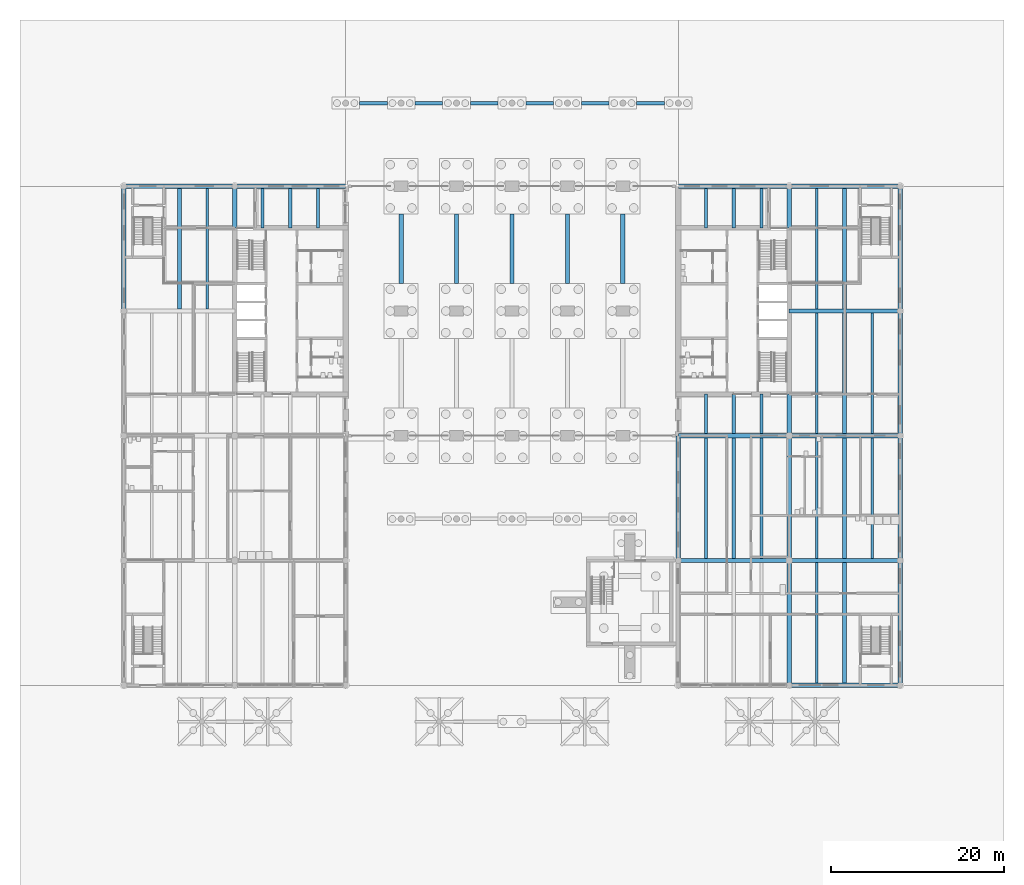
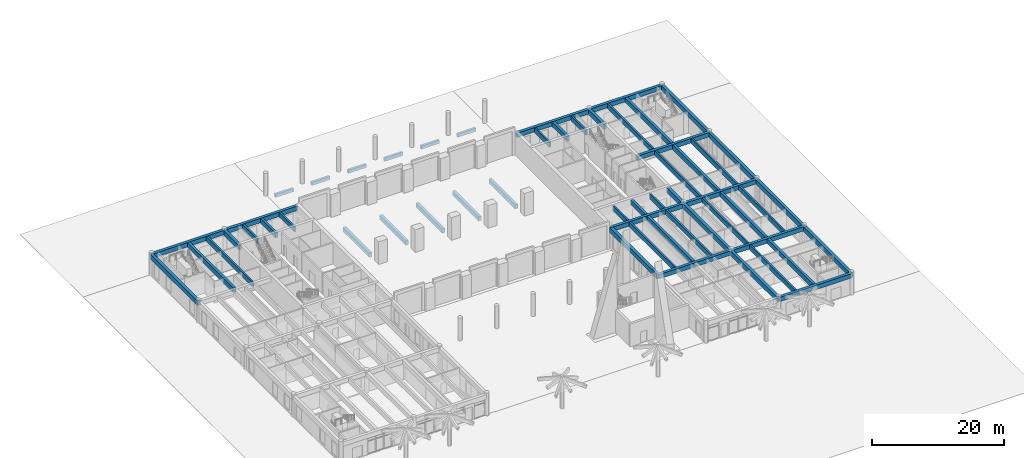
# One storey, part 8 of 28: 56 beams.
"""IFC4 building model written with IfcOpenShell, lengths in metres."""

import ifcopenshell
import ifcopenshell.guid

model = None  # the IFC model being written
_history = None  # IfcOwnerHistory: only IFC2X3 demands one
_inside = {}  # id of a spatial element -> (the spatial element, [elements in it])
_under = {}  # id of a project, library or spatial element -> (it, [spatial elements below it])
_declared = {}  # id of a project -> (the project, [libraries it declares])
_typed = {}  # id of a type object -> (the type object, [elements of that type])
_made_of = {}  # id of a material, layer set ... -> (it, [elements and type objects made of it])


def new_model(schema):
    """Start an empty IFC model of exactly this schema.

    Asked for "IFC4X3", IfcOpenShell would pick the latest addendum, in which some entities
    have other attributes; the version numbers below select the first issue.
    IFC2X3 requires an IfcOwnerHistory on every rooted entity: one is made here for all.
    """
    global model, _history
    if schema == "IFC4X3":
        model = ifcopenshell.file(schema_version=(4, 3, 0, 0))
    else:
        model = ifcopenshell.file(schema=schema)
    _inside.clear()
    _under.clear()
    _declared.clear()
    _typed.clear()
    _made_of.clear()
    _history = None
    if model.schema == "IFC2X3":
        org = make("IfcOrganization", Name="unknown")
        user = make(
            "IfcPersonAndOrganization",
            ThePerson=make("IfcPerson", FamilyName="unknown"),
            TheOrganization=org,
        )
        app = make(
            "IfcApplication",
            ApplicationDeveloper=org,
            Version="unknown",
            ApplicationFullName="unknown",
            ApplicationIdentifier="unknown",
        )
        _history = make(
            "IfcOwnerHistory",
            OwningUser=user,
            OwningApplication=app,
            ChangeAction="ADDED",
            CreationDate=0,
        )
    return model


def make(cls, **values):
    """One entity of the class cls with the attributes given. An attribute that is None is left unset."""
    return model.create_entity(
        cls, **{name: value for name, value in values.items() if value is not None}
    )


def rooted(cls, **values):
    """An entity with a GlobalId (a new one), such as an element, a storey or a relation."""
    return make(cls, GlobalId=ifcopenshell.guid.new(), OwnerHistory=_history, **values)


def si_unit(unit_type, name, prefix=None):
    """IfcSIUnit, for example si_unit("LENGTHUNIT", "METRE", prefix="MILLI")."""
    return make("IfcSIUnit", UnitType=unit_type, Prefix=prefix, Name=name)


def assignment(units):
    """IfcUnitAssignment: the units of a project."""
    return None if units is None else make("IfcUnitAssignment", Units=units)


def point(xyz):
    """IfcCartesianPoint."""
    return None if xyz is None else make("IfcCartesianPoint", Coordinates=xyz)


def direction(xyz):
    """IfcDirection."""
    return None if xyz is None else make("IfcDirection", DirectionRatios=xyz)


def frame(location, z_axis=None, x_axis=None):
    """IfcAxis2Placement3D, a coordinate frame: its origin and axes. An axis left out is left unset."""
    return make(
        "IfcAxis2Placement3D",
        Location=point(location),
        Axis=direction(z_axis),
        RefDirection=direction(x_axis),
    )


def frame_2d(location, x_axis=None):
    """IfcAxis2Placement2D, a coordinate frame in the plane: its origin and x axis."""
    return make(
        "IfcAxis2Placement2D", Location=point(location), RefDirection=direction(x_axis)
    )


def origin():
    """The frame at (0, 0, 0) with its axes left unset."""
    return frame((0.0, 0.0, 0.0))


def origin_2d():
    """The frame at (0, 0) in the plane with its x axis left unset."""
    return frame_2d((0.0, 0.0))


def place(relative_to, where):
    """IfcLocalPlacement: puts the frame where relative to a parent placement (None: the world)."""
    return make(
        "IfcLocalPlacement", PlacementRelTo=relative_to, RelativePlacement=where
    )


def context(
    kind, dimensions, precision=None, world=None, true_north=None, identifier=None
):
    """IfcGeometricRepresentationContext, for example the 3D "Model" context."""
    return make(
        "IfcGeometricRepresentationContext",
        ContextIdentifier=identifier,
        ContextType=kind,
        CoordinateSpaceDimension=dimensions,
        Precision=precision,
        WorldCoordinateSystem=world,
        TrueNorth=true_north,
    )


def subcontext(parent, identifier, kind, view, scale=None):
    """IfcGeometricRepresentationSubContext, for example "Body" below "Model"."""
    return make(
        "IfcGeometricRepresentationSubContext",
        ContextIdentifier=identifier,
        ContextType=kind,
        ParentContext=parent,
        TargetScale=scale,
        TargetView=view,
    )


def project(units=None, contexts=None):
    """IfcProject with its units and contexts."""
    return rooted(
        "IfcProject",
        Name="project",
        RepresentationContexts=contexts,
        UnitsInContext=assignment(units),
    )


def spatial(cls, under=None, at=None, **own):
    """A site, building, storey or space (cls), placed at a placement, below another one or the project."""
    s = rooted(cls, ObjectPlacement=at, **own)
    if under is not None:
        _under.setdefault(under.id(), (under, []))[1].append(s)
    return s


def profile(cls, at=None, kind="AREA", **sizes):
    """A parametric profile (cls). Its sizes go by their IFC names, for example OverallWidth=200.0."""
    return make(cls, ProfileType=kind, Position=at, **sizes)


def rectangle(**sizes):
    """IfcRectangleProfileDef."""
    return profile("IfcRectangleProfileDef", **sizes)


def extrude(swept, where, along, depth):
    """IfcExtrudedAreaSolid: the profile swept, set in the frame where, extruded along a direction by depth."""
    return make(
        "IfcExtrudedAreaSolid",
        SweptArea=swept,
        Position=where,
        ExtrudedDirection=direction(along),
        Depth=depth,
    )


def shape(context_of_items, identifier, shape_type, items):
    """IfcShapeRepresentation: the items that make up one representation, for example the "Body"."""
    return make(
        "IfcShapeRepresentation",
        ContextOfItems=context_of_items,
        RepresentationIdentifier=identifier,
        RepresentationType=shape_type,
        Items=items,
    )


def material(Name=None, Category=None):
    """IfcMaterial."""
    return make("IfcMaterial", Name=Name, Category=Category)


def material_profile(
    of_material, cross_section, Name=None, Category=None, Priority=None
):
    """IfcMaterialProfile: a cross section and its material."""
    return make(
        "IfcMaterialProfile",
        Name=Name,
        Material=of_material,
        Profile=cross_section,
        Priority=Priority,
        Category=Category,
    )


def profile_set(profiles, Name=None, composite=None):
    """IfcMaterialProfileSet."""
    return make(
        "IfcMaterialProfileSet",
        Name=Name,
        MaterialProfiles=profiles,
        CompositeProfile=composite,
    )


def made_of(thing, what):
    """Note that an element or type object is made of a material, layer set ...; save() writes the relation."""
    if what is not None:
        _made_of.setdefault(what.id(), (what, []))[1].append(thing)
    return thing


def type_object(cls, material=None, **own):
    """A type object (cls), such as IfcWallType, which elements share."""
    return made_of(rooted(cls, **own), material)


def element(
    cls,
    number,
    at=None,
    inside=None,
    cuts=None,
    type_object=None,
    material=None,
    context=None,
    identifier="Body",
    shape_type=None,
    held_by="IfcProductDefinitionShape",
    body=None,
    shapes=None,
    **own,
):
    """One element of the class cls, such as IfcWall. Its Tag is "e" and its number.

    at: its placement. inside: the storey or other place that contains it. cuts: it is an
    opening in that element (IfcRelVoidsElement). A single representation is given by context,
    identifier, shape_type and body (its items); several are given by shapes. held_by: the class
    of the entity that holds the representations. save() writes the other relations.
    """
    e = rooted(cls, Tag="e%d" % number, ObjectPlacement=at, **own)
    if body is not None:
        shapes = [shape(context, identifier, shape_type, body)]
    if shapes is not None:
        e.Representation = make(held_by, Representations=shapes)
    if inside is not None:
        _inside.setdefault(inside.id(), (inside, []))[1].append(e)
    if cuts is not None:
        rooted(
            "IfcRelVoidsElement", RelatingBuildingElement=cuts, RelatedOpeningElement=e
        )
    if type_object is not None:
        _typed.setdefault(type_object.id(), (type_object, []))[1].append(e)
    return made_of(e, material)


def aggregate(whole, parts):
    """IfcRelAggregates: a whole, such as a stair, and the parts it consists of."""
    return rooted("IfcRelAggregates", RelatingObject=whole, RelatedObjects=parts)


def save(model, path):
    """Write the relations noted so far, then the file.

    IfcRelAggregates (storeys below a building ...), IfcRelContainedInSpatialStructure (elements
    in a storey), IfcRelDefinesByType, IfcRelAssociatesMaterial and IfcRelDeclares: one each for
    every whole, place, type object, material and project.
    """
    for whole, parts in _under.values():
        aggregate(whole, parts)
    for where, things in _inside.values():
        rooted(
            "IfcRelContainedInSpatialStructure",
            RelatedElements=things,
            RelatingStructure=where,
        )
    for kind, things in _typed.values():
        rooted("IfcRelDefinesByType", RelatedObjects=things, RelatingType=kind)
    for what, things in _made_of.values():
        rooted("IfcRelAssociatesMaterial", RelatedObjects=things, RelatingMaterial=what)
    for by, libraries in _declared.values():
        rooted("IfcRelDeclares", RelatingContext=by, RelatedDefinitions=libraries)
    model.write(path)


model = new_model("IFC4")

# Units and contexts
model_context = context("Model", 3, precision=1e-05, world=origin(), true_north=direction((0.0, 1.0)))
body_context = subcontext(model_context, "Body", "Model", "MODEL_VIEW")
ifc_project = project(units=[si_unit("LENGTHUNIT", "METRE"), si_unit("AREAUNIT", "SQUARE_METRE"), si_unit("VOLUMEUNIT", "CUBIC_METRE"), si_unit("PLANEANGLEUNIT", "RADIAN"), si_unit("MASSUNIT", "GRAM", prefix="KILO")], contexts=[model_context])

# Site, building, storey
site_placement = place(None, origin())
site = spatial("IfcSite", under=ifc_project, at=site_placement, CompositionType="ELEMENT")
building_placement = place(site_placement, origin())
building = spatial("IfcBuilding", under=site, at=building_placement, Name="Fogon Plaza Fire Station and Headquarters Tower", CompositionType="ELEMENT")
storey_placement = place(building_placement, origin())
storey = spatial("IfcBuildingStorey", under=building, at=storey_placement, Name="L00", CompositionType="ELEMENT", Elevation=0.0)

# Beams
ifc_material_1 = material(Name="Concrete C40", Category="concrete")
ifc_material_profile_1 = material_profile(ifc_material_1, rectangle(XDim=0.5, YDim=0.800048828125, at=origin_2d()), Name="RC 500x800")
ifc_profile_set_1 = profile_set([ifc_material_profile_1], Name="Concrete C40")
beam_type_1 = type_object("IfcBeamType", Name="BEAM RC 500x800", PredefinedType="BEAM", material=ifc_profile_set_1)
for number, where, z_axis, x_axis, name in (
    (1, (89.60009765625, 0.0, 3.5), (-1.0, 0.0, 0.0), (0.0, -1.0, 0.0), "beam-L00-002"),
    (2, (89.60009765625, 14.39990234375, 3.5), (-1.0, 0.0, 0.0), (0.0, -1.0, 0.0), "beam-L00-006"),
    (3, (76.800048828125, 14.39990234375, 3.5), (-1.0, 0.0, 0.0), (0.0, -1.0, 0.0), "beam-L00-008"),
    (4, (89.60009765625, 28.800048828125, 3.5), (-1.0, 0.0, 0.0), (0.0, -1.0, 0.0), "beam-L00-010"),
    (5, (76.800048828125, 28.800048828125, 3.5), (-1.0, 0.0, 0.0), (0.0, -1.0, 0.0), "beam-L00-012"),
    (6, (89.60009765625, 43.199951171875, 3.5), (-1.0, 0.0, 0.0), (0.0, -1.0, 0.0), "beam-L00-014"),
    (7, (0.0, 57.60009765625, 3.5), (1.0, 0.0, 0.0), (0.0, 1.0, 0.0), "beam-L00-015"),
    (8, (89.60009765625, 57.60009765625, 3.5), (-1.0, 0.0, 0.0), (0.0, -1.0, 0.0), "beam-L00-016"),
    (9, (12.800048828125, 57.60009765625, 3.5), (1.0, 0.0, 0.0), (0.0, 1.0, 0.0), "beam-L00-017"),
    (10, (76.800048828125, 57.60009765625, 3.5), (-1.0, 0.0, 0.0), (0.0, -1.0, 0.0), "beam-L00-018"),
):
    element("IfcBeam", number, at=place(storey_placement, frame(where, z_axis=z_axis, x_axis=x_axis)), inside=storey, type_object=beam_type_1, Name=name, PredefinedType="BEAM", context=body_context, shape_type="SweptSolid", body=[
        extrude(rectangle(XDim=0.5, YDim=0.800048828125, at=origin_2d()), origin(), (0.0, 0.0, 1.0), 12.800048828125),
    ])
ifc_material_2 = material(Name="Concrete C40", Category="concrete")
ifc_material_profile_2 = material_profile(ifc_material_2, rectangle(XDim=0.5, YDim=0.89990234375, at=origin_2d()), Name="RC 500x900")
ifc_profile_set_2 = profile_set([ifc_material_profile_2], Name="Concrete C40")
beam_type_2 = type_object("IfcBeamType", Name="BEAM RC 500x900", PredefinedType="BEAM", material=ifc_profile_set_2)
beam_1_placement = place(storey_placement, frame((89.60009765625, 0.0, 3.449951171875), z_axis=(0.0, 1.0, 0.0), x_axis=(-1.0, 0.0, 0.0)))
element("IfcBeam", 11, at=beam_1_placement, inside=storey, type_object=beam_type_2, Name="beam-L00-020", PredefinedType="BEAM", context=body_context, shape_type="SweptSolid", body=[
    extrude(rectangle(XDim=0.5, YDim=0.89990234375, at=origin_2d()), origin(), (0.0, 0.0, 1.0), 14.39990234375),
])
beam_2_placement = place(storey_placement, frame((89.60009765625, 14.39990234375, 3.449951171875), z_axis=(0.0, 1.0, 0.0), x_axis=(-1.0, 0.0, 0.0)))
element("IfcBeam", 12, at=beam_2_placement, inside=storey, type_object=beam_type_2, Name="beam-L00-022", PredefinedType="BEAM", context=body_context, shape_type="SweptSolid", body=[
    extrude(rectangle(XDim=0.5, YDim=0.89990234375, at=origin_2d()), origin(), (0.0, 0.0, 1.0), 14.400146484375),
])
beam_3_placement = place(storey_placement, frame((89.60009765625, 28.800048828125, 3.449951171875), z_axis=(0.0, 1.0, 0.0), x_axis=(-1.0, 0.0, 0.0)))
element("IfcBeam", 13, at=beam_3_placement, inside=storey, type_object=beam_type_2, Name="beam-L00-024", PredefinedType="BEAM", context=body_context, shape_type="SweptSolid", body=[
    extrude(rectangle(XDim=0.5, YDim=0.89990234375, at=origin_2d()), origin(), (0.0, 0.0, 1.0), 14.39990234375),
])
for number, where, z_axis, x_axis, name in (
    (14, (0.0, 43.199951171875, 3.449951171875), (0.0, 1.0, 0.0), (-1.0, 0.0, 0.0), "beam-L00-025"),
    (15, (89.60009765625, 43.199951171875, 3.449951171875), (0.0, 1.0, 0.0), (-1.0, 0.0, 0.0), "beam-L00-026"),
):
    element("IfcBeam", number, at=place(storey_placement, frame(where, z_axis=z_axis, x_axis=x_axis)), inside=storey, type_object=beam_type_2, Name=name, PredefinedType="BEAM", context=body_context, shape_type="SweptSolid", body=[
        extrude(rectangle(XDim=0.5, YDim=0.89990234375, at=origin_2d()), origin(), (0.0, 0.0, 1.0), 14.400146484375),
    ])
beam_4_placement = place(storey_placement, frame((76.800048828125, 0.0, 3.449951171875), z_axis=(0.0, 1.0, 0.0), x_axis=(-1.0, 0.0, 0.0)))
element("IfcBeam", 16, at=beam_4_placement, inside=storey, type_object=beam_type_2, Name="beam-L00-028", PredefinedType="BEAM", context=body_context, shape_type="SweptSolid", body=[
    extrude(rectangle(XDim=0.5, YDim=0.89990234375, at=origin_2d()), origin(), (0.0, 0.0, 1.0), 14.39990234375),
])
for number, where, z_axis, x_axis, name in (
    (17, (76.800048828125, 14.39990234375, 3.449951171875), (0.0, 1.0, 0.0), (-1.0, 0.0, 0.0), "beam-L00-030"),
    (18, (64.0, 14.39990234375, 3.449951171875), (0.0, 1.0, 0.0), (-1.0, 0.0, 0.0), "beam-L00-034"),
):
    element("IfcBeam", number, at=place(storey_placement, frame(where, z_axis=z_axis, x_axis=x_axis)), inside=storey, type_object=beam_type_2, Name=name, PredefinedType="BEAM", context=body_context, shape_type="SweptSolid", body=[
        extrude(rectangle(XDim=0.5, YDim=0.89990234375, at=origin_2d()), origin(), (0.0, 0.0, 1.0), 14.400146484375),
    ])
ifc_material_3 = material(Name="Concrete C40", Category="concrete")
ifc_material_profile_3 = material_profile(ifc_material_3, rectangle(XDim=0.5, YDim=0.89990234375, at=origin_2d()), Name="RC 500x900")
ifc_profile_set_3 = profile_set([ifc_material_profile_3], Name="Concrete C40")
beam_type_3 = type_object("IfcBeamType", Name="BEAM RC 500x900 SPAN 3.0 TO 4.8 M", PredefinedType="BEAM", material=ifc_profile_set_3)
for number, where, z_axis, x_axis, name in (
    (19, (76.800048828125, 28.800048828125, 3.449951171875), (0.0, 1.0, 0.0), (-1.0, 0.0, 0.0), "beam-L00-036"),
    (20, (12.800048828125, 52.800048828125, 3.449951171875), (0.0, 1.0, 0.0), (-1.0, 0.0, 0.0), "beam-L00-037"),
    (21, (76.800048828125, 52.800048828125, 3.449951171875), (0.0, 1.0, 0.0), (-1.0, 0.0, 0.0), "beam-L00-038"),
):
    element("IfcBeam", number, at=place(storey_placement, frame(where, z_axis=z_axis, x_axis=x_axis)), inside=storey, type_object=beam_type_3, Name=name, PredefinedType="BEAM", context=body_context, shape_type="SweptSolid", body=[
        extrude(rectangle(XDim=0.5, YDim=0.89990234375, at=origin_2d()), origin(), (0.0, 0.0, 1.0), 4.800048828125),
    ])
ifc_material_4 = material(Name="Concrete C40", Category="concrete")
ifc_material_profile_4 = material_profile(ifc_material_4, rectangle(XDim=0.39990234375, YDim=0.60009765625, at=origin_2d()), Name="RC 400x600")
ifc_profile_set_4 = profile_set([ifc_material_profile_4], Name="Concrete C40")
beam_type_4 = type_object("IfcBeamType", Name="GROUND TIE RC 400x600", PredefinedType="BEAM", material=ifc_profile_set_4)
for number, where, z_axis, x_axis, name in (
    (22, (27.199951171875, 67.199951171875, -0.699951171875), (1.0, 0.0, 0.0), (0.0, 1.0, 0.0), "beam-L00-TB011"),
    (23, (33.60009765625, 67.199951171875, -0.699951171875), (1.0, 0.0, 0.0), (0.0, 1.0, 0.0), "beam-L00-TB012"),
    (24, (40.0, 67.199951171875, -0.699951171875), (1.0, 0.0, 0.0), (0.0, 1.0, 0.0), "beam-L00-TB013"),
):
    element("IfcBeam", number, at=place(storey_placement, frame(where, z_axis=z_axis, x_axis=x_axis)), inside=storey, type_object=beam_type_4, Name=name, PredefinedType="BEAM", context=body_context, shape_type="SweptSolid", body=[
        extrude(rectangle(XDim=0.39990234375, YDim=0.60009765625, at=origin_2d()), origin(), (0.0, 0.0, 1.0), 3.199951171875),
    ])
beam_5_placement = place(storey_placement, frame((46.39990234375, 67.199951171875, -0.699951171875), z_axis=(1.0, 0.0, 0.0), x_axis=(0.0, 1.0, 0.0)))
element("IfcBeam", 25, at=beam_5_placement, inside=storey, type_object=beam_type_4, Name="beam-L00-TB014", PredefinedType="BEAM", context=body_context, shape_type="SweptSolid", body=[
    extrude(rectangle(XDim=0.39990234375, YDim=0.60009765625, at=origin_2d()), origin(), (0.0, 0.0, 1.0), 3.2001953125),
])
for number, where, z_axis, x_axis, name in (
    (26, (52.800048828125, 67.199951171875, -0.699951171875), (1.0, 0.0, 0.0), (0.0, 1.0, 0.0), "beam-L00-TB015"),
    (27, (59.199951171875, 67.199951171875, -0.699951171875), (1.0, 0.0, 0.0), (0.0, 1.0, 0.0), "beam-L00-TB016"),
):
    element("IfcBeam", number, at=place(storey_placement, frame(where, z_axis=z_axis, x_axis=x_axis)), inside=storey, type_object=beam_type_4, Name=name, PredefinedType="BEAM", context=body_context, shape_type="SweptSolid", body=[
        extrude(rectangle(XDim=0.39990234375, YDim=0.60009765625, at=origin_2d()), origin(), (0.0, 0.0, 1.0), 3.199951171875),
    ])
ifc_material_5 = material(Name="Concrete C40", Category="concrete")
ifc_material_profile_5 = material_profile(ifc_material_5, rectangle(XDim=0.5, YDim=0.800048828125, at=origin_2d()), Name="RC 500x800")
ifc_profile_set_5 = profile_set([ifc_material_profile_5], Name="Concrete C40")
beam_type_5 = type_object("IfcBeamType", Name="GROUND TIE RC 500x800", PredefinedType="BEAM", material=ifc_profile_set_5)
for number, where, z_axis, x_axis, name in (
    (28, (32.0, 46.39990234375, -0.800048828125), (0.0, 1.0, 0.0), (-1.0, 0.0, 0.0), "beam-L00-TB002"),
    (29, (38.39990234375, 46.39990234375, -0.800048828125), (0.0, 1.0, 0.0), (-1.0, 0.0, 0.0), "beam-L00-TB004"),
    (30, (44.800048828125, 46.39990234375, -0.800048828125), (0.0, 1.0, 0.0), (-1.0, 0.0, 0.0), "beam-L00-TB006"),
    (31, (51.199951171875, 46.39990234375, -0.800048828125), (0.0, 1.0, 0.0), (-1.0, 0.0, 0.0), "beam-L00-TB008"),
    (32, (57.60009765625, 46.39990234375, -0.800048828125), (0.0, 1.0, 0.0), (-1.0, 0.0, 0.0), "beam-L00-TB010"),
):
    element("IfcBeam", number, at=place(storey_placement, frame(where, z_axis=z_axis, x_axis=x_axis)), inside=storey, type_object=beam_type_5, Name=name, PredefinedType="BEAM", context=body_context, shape_type="SweptSolid", body=[
        extrude(rectangle(XDim=0.5, YDim=0.800048828125, at=origin_2d()), origin(), (0.0, 0.0, 1.0), 8.0),
    ])
ifc_material_6 = material(Name="Concrete C40", Category="concrete")
ifc_material_profile_6 = material_profile(ifc_material_6, rectangle(XDim=0.300048828125, YDim=0.89990234375, at=origin_2d()), Name="RC 300x900")
ifc_profile_set_6 = profile_set([ifc_material_profile_6], Name="Concrete C40")
beam_type_6 = type_object("IfcBeamType", Name="JOIST RC 300x900", PredefinedType="JOIST", material=ifc_profile_set_6)
beam_6_placement = place(storey_placement, frame((86.39990234375, 14.64990234375, 3.449951171875), z_axis=(0.0, 1.0, 0.0), x_axis=(-1.0, 0.0, 0.0)))
element("IfcBeam", 33, at=beam_6_placement, inside=storey, type_object=beam_type_6, Name="beam-L00-056", PredefinedType="JOIST", context=body_context, shape_type="SweptSolid", body=[
    extrude(rectangle(XDim=0.300048828125, YDim=0.89990234375, at=origin_2d()), origin(), (0.0, 0.0, 1.0), 13.900146484375),
])
for number, where, z_axis, x_axis, name in (
    (34, (86.39990234375, 29.050048828125, 3.449951171875), (0.0, 1.0, 0.0), (-1.0, 0.0, 0.0), "beam-L00-058"),
    (35, (80.0, 0.25, 3.449951171875), (0.0, 1.0, 0.0), (-1.0, 0.0, 0.0), "beam-L00-060"),
):
    element("IfcBeam", number, at=place(storey_placement, frame(where, z_axis=z_axis, x_axis=x_axis)), inside=storey, type_object=beam_type_6, Name=name, PredefinedType="JOIST", context=body_context, shape_type="SweptSolid", body=[
        extrude(rectangle(XDim=0.300048828125, YDim=0.89990234375, at=origin_2d()), origin(), (0.0, 0.0, 1.0), 13.89990234375),
    ])
beam_7_placement = place(storey_placement, frame((80.0, 14.64990234375, 3.449951171875), z_axis=(0.0, 1.0, 0.0), x_axis=(-1.0, 0.0, 0.0)))
element("IfcBeam", 36, at=beam_7_placement, inside=storey, type_object=beam_type_6, Name="beam-L00-062", PredefinedType="JOIST", context=body_context, shape_type="SweptSolid", body=[
    extrude(rectangle(XDim=0.300048828125, YDim=0.89990234375, at=origin_2d()), origin(), (0.0, 0.0, 1.0), 13.900146484375),
])
beam_8_placement = place(storey_placement, frame((80.0, 29.050048828125, 3.449951171875), z_axis=(0.0, 1.0, 0.0), x_axis=(-1.0, 0.0, 0.0)))
element("IfcBeam", 37, at=beam_8_placement, inside=storey, type_object=beam_type_6, Name="beam-L00-064", PredefinedType="JOIST", context=body_context, shape_type="SweptSolid", body=[
    extrude(rectangle(XDim=0.300048828125, YDim=0.89990234375, at=origin_2d()), origin(), (0.0, 0.0, 1.0), 13.89990234375),
])
for number, where, z_axis, x_axis, name in (
    (38, (9.60009765625, 43.449951171875, 3.449951171875), (0.0, 1.0, 0.0), (-1.0, 0.0, 0.0), "beam-L00-065"),
    (39, (80.0, 43.449951171875, 3.449951171875), (0.0, 1.0, 0.0), (-1.0, 0.0, 0.0), "beam-L00-066"),
    (40, (73.60009765625, 14.64990234375, 3.449951171875), (0.0, 1.0, 0.0), (-1.0, 0.0, 0.0), "beam-L00-070"),
    (41, (67.199951171875, 14.64990234375, 3.449951171875), (0.0, 1.0, 0.0), (-1.0, 0.0, 0.0), "beam-L00-078"),
):
    element("IfcBeam", number, at=place(storey_placement, frame(where, z_axis=z_axis, x_axis=x_axis)), inside=storey, type_object=beam_type_6, Name=name, PredefinedType="JOIST", context=body_context, shape_type="SweptSolid", body=[
        extrude(rectangle(XDim=0.300048828125, YDim=0.89990234375, at=origin_2d()), origin(), (0.0, 0.0, 1.0), 13.900146484375),
    ])
ifc_material_7 = material(Name="Concrete C40", Category="concrete")
ifc_material_profile_7 = material_profile(ifc_material_7, rectangle(XDim=0.300048828125, YDim=0.89990234375, at=origin_2d()), Name="RC 300x900")
ifc_profile_set_7 = profile_set([ifc_material_profile_7], Name="Concrete C40")
beam_type_7 = type_object("IfcBeamType", Name="JOIST RC 300x900 SPAN 3.0 TO 4.8 M", PredefinedType="JOIST", material=ifc_profile_set_7)
for number, where, z_axis, x_axis, name in (
    (42, (73.60009765625, 29.050048828125, 3.449951171875), (0.0, 1.0, 0.0), (-1.0, 0.0, 0.0), "beam-L00-072"),
    (43, (16.0, 52.800048828125, 3.449951171875), (0.0, 1.0, 0.0), (-1.0, 0.0, 0.0), "beam-L00-073"),
    (44, (73.60009765625, 52.800048828125, 3.449951171875), (0.0, 1.0, 0.0), (-1.0, 0.0, 0.0), "beam-L00-074"),
    (45, (67.199951171875, 29.050048828125, 3.449951171875), (0.0, 1.0, 0.0), (-1.0, 0.0, 0.0), "beam-L00-080"),
    (46, (22.39990234375, 52.800048828125, 3.449951171875), (0.0, 1.0, 0.0), (-1.0, 0.0, 0.0), "beam-L00-081"),
    (47, (67.199951171875, 52.800048828125, 3.449951171875), (0.0, 1.0, 0.0), (-1.0, 0.0, 0.0), "beam-L00-082"),
):
    element("IfcBeam", number, at=place(storey_placement, frame(where, z_axis=z_axis, x_axis=x_axis)), inside=storey, type_object=beam_type_7, Name=name, PredefinedType="JOIST", context=body_context, shape_type="SweptSolid", body=[
        extrude(rectangle(XDim=0.300048828125, YDim=0.89990234375, at=origin_2d()), origin(), (0.0, 0.0, 1.0), 4.550048828125),
    ])
ifc_material_8 = material(Name="Concrete C40", Category="concrete")
ifc_material_profile_8 = material_profile(ifc_material_8, rectangle(XDim=0.449951171875, YDim=0.89990234375, at=origin_2d()), Name="RC 450x900")
ifc_profile_set_8 = profile_set([ifc_material_profile_8], Name="Concrete C40")
beam_type_8 = type_object("IfcBeamType", Name="JOIST RC 450x900", PredefinedType="JOIST", material=ifc_profile_set_8)
beam_9_placement = place(storey_placement, frame((83.199951171875, 0.25, 3.449951171875), z_axis=(0.0, 1.0, 0.0), x_axis=(-1.0, 0.0, 0.0)))
element("IfcBeam", 48, at=beam_9_placement, inside=storey, type_object=beam_type_8, Name="beam-L00-040", PredefinedType="JOIST", context=body_context, shape_type="SweptSolid", body=[
    extrude(rectangle(XDim=0.449951171875, YDim=0.89990234375, at=origin_2d()), origin(), (0.0, 0.0, 1.0), 13.89990234375),
])
beam_10_placement = place(storey_placement, frame((83.199951171875, 14.64990234375, 3.449951171875), z_axis=(0.0, 1.0, 0.0), x_axis=(-1.0, 0.0, 0.0)))
element("IfcBeam", 49, at=beam_10_placement, inside=storey, type_object=beam_type_8, Name="beam-L00-042", PredefinedType="JOIST", context=body_context, shape_type="SweptSolid", body=[
    extrude(rectangle(XDim=0.449951171875, YDim=0.89990234375, at=origin_2d()), origin(), (0.0, 0.0, 1.0), 13.900146484375),
])
beam_11_placement = place(storey_placement, frame((83.199951171875, 29.050048828125, 3.449951171875), z_axis=(0.0, 1.0, 0.0), x_axis=(-1.0, 0.0, 0.0)))
element("IfcBeam", 50, at=beam_11_placement, inside=storey, type_object=beam_type_8, Name="beam-L00-044", PredefinedType="JOIST", context=body_context, shape_type="SweptSolid", body=[
    extrude(rectangle(XDim=0.449951171875, YDim=0.89990234375, at=origin_2d()), origin(), (0.0, 0.0, 1.0), 13.89990234375),
])
for number, where, z_axis, x_axis, name in (
    (51, (6.39990234375, 43.449951171875, 3.449951171875), (0.0, 1.0, 0.0), (-1.0, 0.0, 0.0), "beam-L00-045"),
    (52, (83.199951171875, 43.449951171875, 3.449951171875), (0.0, 1.0, 0.0), (-1.0, 0.0, 0.0), "beam-L00-046"),
    (53, (70.39990234375, 14.64990234375, 3.449951171875), (0.0, 1.0, 0.0), (-1.0, 0.0, 0.0), "beam-L00-050"),
):
    element("IfcBeam", number, at=place(storey_placement, frame(where, z_axis=z_axis, x_axis=x_axis)), inside=storey, type_object=beam_type_8, Name=name, PredefinedType="JOIST", context=body_context, shape_type="SweptSolid", body=[
        extrude(rectangle(XDim=0.449951171875, YDim=0.89990234375, at=origin_2d()), origin(), (0.0, 0.0, 1.0), 13.900146484375),
    ])
ifc_material_9 = material(Name="Concrete C40", Category="concrete")
ifc_material_profile_9 = material_profile(ifc_material_9, rectangle(XDim=0.449951171875, YDim=0.89990234375, at=origin_2d()), Name="RC 450x900")
ifc_profile_set_9 = profile_set([ifc_material_profile_9], Name="Concrete C40")
beam_type_9 = type_object("IfcBeamType", Name="JOIST RC 450x900 SPAN 3.0 TO 4.8 M", PredefinedType="JOIST", material=ifc_profile_set_9)
for number, where, z_axis, x_axis, name in (
    (54, (70.39990234375, 29.050048828125, 3.449951171875), (0.0, 1.0, 0.0), (-1.0, 0.0, 0.0), "beam-L00-052"),
    (55, (19.199951171875, 52.800048828125, 3.449951171875), (0.0, 1.0, 0.0), (-1.0, 0.0, 0.0), "beam-L00-053"),
    (56, (70.39990234375, 52.800048828125, 3.449951171875), (0.0, 1.0, 0.0), (-1.0, 0.0, 0.0), "beam-L00-054"),
):
    element("IfcBeam", number, at=place(storey_placement, frame(where, z_axis=z_axis, x_axis=x_axis)), inside=storey, type_object=beam_type_9, Name=name, PredefinedType="JOIST", context=body_context, shape_type="SweptSolid", body=[
        extrude(rectangle(XDim=0.449951171875, YDim=0.89990234375, at=origin_2d()), origin(), (0.0, 0.0, 1.0), 4.550048828125),
    ])

save(model, "model.ifc")
